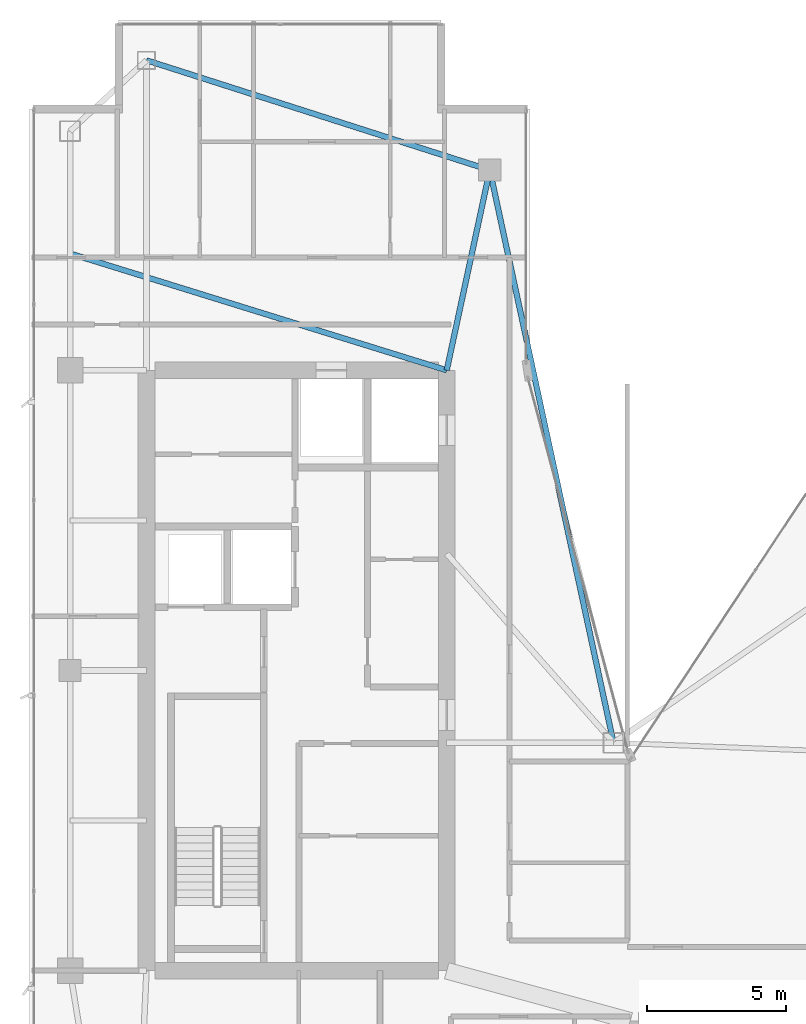
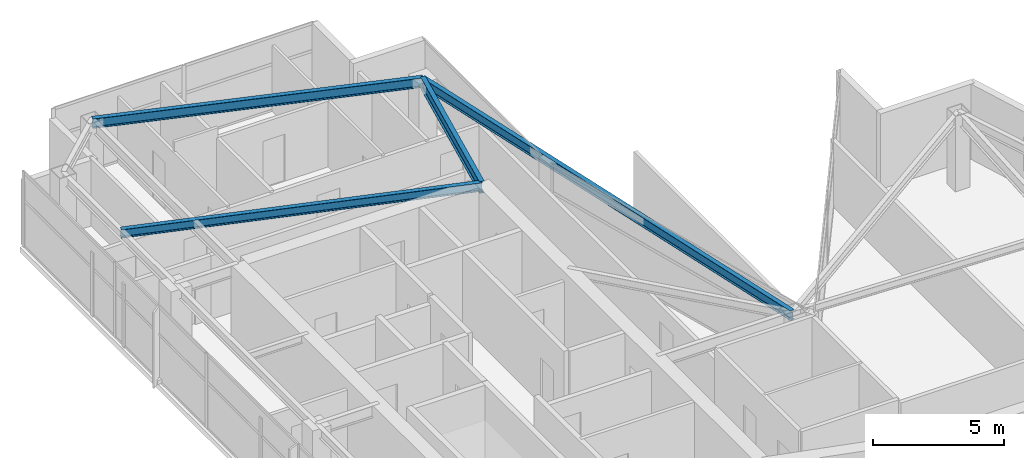
# One storey, part 17 of 27: 4 beams.
"""IFC4 building model written with IfcOpenShell, lengths in metres."""

from ifc_helpers import new_model, si_unit, direction, frame, origin, origin_2d, place, context, subcontext, project, spatial, i_section, extrude, material, material_profile, profile_set, type_object, element, save


model = new_model("IFC4")

# Units and contexts
model_context = context("Model", 3, precision=1e-05, world=origin(), true_north=direction((0.0, 1.0)))
body_context = subcontext(model_context, "Body", "Model", "MODEL_VIEW")
ifc_project = project(units=[si_unit("LENGTHUNIT", "METRE"), si_unit("AREAUNIT", "SQUARE_METRE"), si_unit("VOLUMEUNIT", "CUBIC_METRE"), si_unit("PLANEANGLEUNIT", "RADIAN"), si_unit("MASSUNIT", "GRAM", prefix="KILO")], contexts=[model_context])

# Site, building, storey
site_placement = place(None, origin())
site = spatial("IfcSite", under=ifc_project, at=site_placement, CompositionType="ELEMENT")
building_placement = place(site_placement, origin())
building = spatial("IfcBuilding", under=site, at=building_placement, Name="Calvorn Quay Hotel", CompositionType="ELEMENT")
storey_placement = place(building_placement, frame((0.0, 0.0, 278.699951171875)))
storey = spatial("IfcBuildingStorey", under=building, at=storey_placement, Name="L69", CompositionType="ELEMENT", Elevation=278.699951171875)

# Beams
ifc_material_1 = material(Name="Steel Q355B", Category="steel")
ifc_material_profile_1 = material_profile(ifc_material_1, i_section(OverallWidth=0.199951171875, OverallDepth=0.550048828125, WebThickness=0.010009765625, FlangeThickness=0.01611328125, FilletRadius=0.01806640625, at=origin_2d()), Name="HN550x200x10x16")
ifc_profile_set_1 = profile_set([ifc_material_profile_1], Name="Steel Q355B")
beam_type_1 = type_object("IfcBeamType", Name="BM-GIRD-UPP", PredefinedType="BEAM", material=ifc_profile_set_1)
beam_1_placement = place(storey_placement, frame((16.550048828125, 45.60009765625, 3.2451171875), z_axis=(-0.210457140491, -0.97760308511, 0.0), x_axis=(0.97760308511, -0.210457140491, 0.0)))
element("IfcBeam", 1, at=beam_1_placement, inside=storey, type_object=beam_type_1, Name="Beam BG-L69-W6", PredefinedType="BEAM", context=body_context, shape_type="SweptSolid", body=[
    extrude(i_section(OverallWidth=0.199951171875, OverallDepth=0.550048828125, WebThickness=0.010009765625, FlangeThickness=0.01611328125, FilletRadius=0.01806640625, at=origin_2d()), origin(), (0.0, 0.0, 1.0), 7.365234375),
])
ifc_material_2 = material(Name="Steel Q355B", Category="steel")
ifc_material_profile_2 = material_profile(ifc_material_2, i_section(OverallWidth=0.199951171875, OverallDepth=0.39990234375, WebThickness=0.008056640625, FlangeThickness=0.012939453125, FilletRadius=0.01611328125, at=origin_2d()), Name="HN400x200x8x13")
ifc_profile_set_2 = profile_set([ifc_material_profile_2], Name="Steel Q355B")
beam_type_2 = type_object("IfcBeamType", Name="BM-JOIST-TYP", PredefinedType="JOIST", material=ifc_profile_set_2)
beam_2_placement = place(storey_placement, frame((1.449951171875, 42.60009765625, 3.320068359375), z_axis=(0.955163702122, -0.296078202759, 0.0), x_axis=(0.296078202759, 0.955163702122, 0.0)))
element("IfcBeam", 2, at=beam_2_placement, inside=storey, type_object=beam_type_2, Name="Beam BJ-L69-W2", PredefinedType="JOIST", context=body_context, shape_type="SweptSolid", body=[
    extrude(i_section(OverallWidth=0.199951171875, OverallDepth=0.39990234375, WebThickness=0.008056640625, FlangeThickness=0.012939453125, FilletRadius=0.01611328125, at=origin_2d()), origin(), (0.0, 0.0, 1.0), 14.18603515625),
])
ifc_material_3 = material(Name="Steel Q355B", Category="steel")
ifc_material_profile_3 = material_profile(ifc_material_3, i_section(OverallWidth=0.199951171875, OverallDepth=0.449951171875, WebThickness=0.009033203125, FlangeThickness=0.013916015625, FilletRadius=0.01611328125, at=origin_2d()), Name="HN450x200x9x14")
ifc_profile_set_3 = profile_set([ifc_material_profile_3], Name="Steel Q355B")
beam_type_3 = type_object("IfcBeamType", Name="BM-SPANDREL-Z3", PredefinedType="SPANDREL", material=ifc_profile_set_3)
beam_3_placement = place(storey_placement, frame((4.199951171875, 49.550048828125, 3.295166015625), z_axis=(0.952470702374, -0.304630203885, 0.0), x_axis=(0.304630203885, 0.952470702374, 0.0)))
element("IfcBeam", 3, at=beam_3_placement, inside=storey, type_object=beam_type_3, Name="Beam BSP-L69-W6", PredefinedType="SPANDREL", context=body_context, shape_type="SweptSolid", body=[
    extrude(i_section(OverallWidth=0.199951171875, OverallDepth=0.449951171875, WebThickness=0.009033203125, FlangeThickness=0.013916015625, FilletRadius=0.01611328125, at=origin_2d()), origin(), (0.0, 0.0, 1.0), 12.96630859375),
])
beam_4_placement = place(storey_placement, frame((16.550048828125, 45.60009765625, 3.295166015625), z_axis=(0.211145848376, -0.977454567084, 0.0), x_axis=(0.977454567084, 0.211145848376, 0.0)))
element("IfcBeam", 4, at=beam_4_placement, inside=storey, type_object=beam_type_3, Name="Beam BSP-L69-W7", PredefinedType="SPANDREL", context=body_context, shape_type="SweptSolid", body=[
    extrude(i_section(OverallWidth=0.199951171875, OverallDepth=0.449951171875, WebThickness=0.009033203125, FlangeThickness=0.013916015625, FilletRadius=0.01611328125, at=origin_2d()), origin(), (0.0, 0.0, 1.0), 21.0751953125),
])

save(model, "model.ifc")
